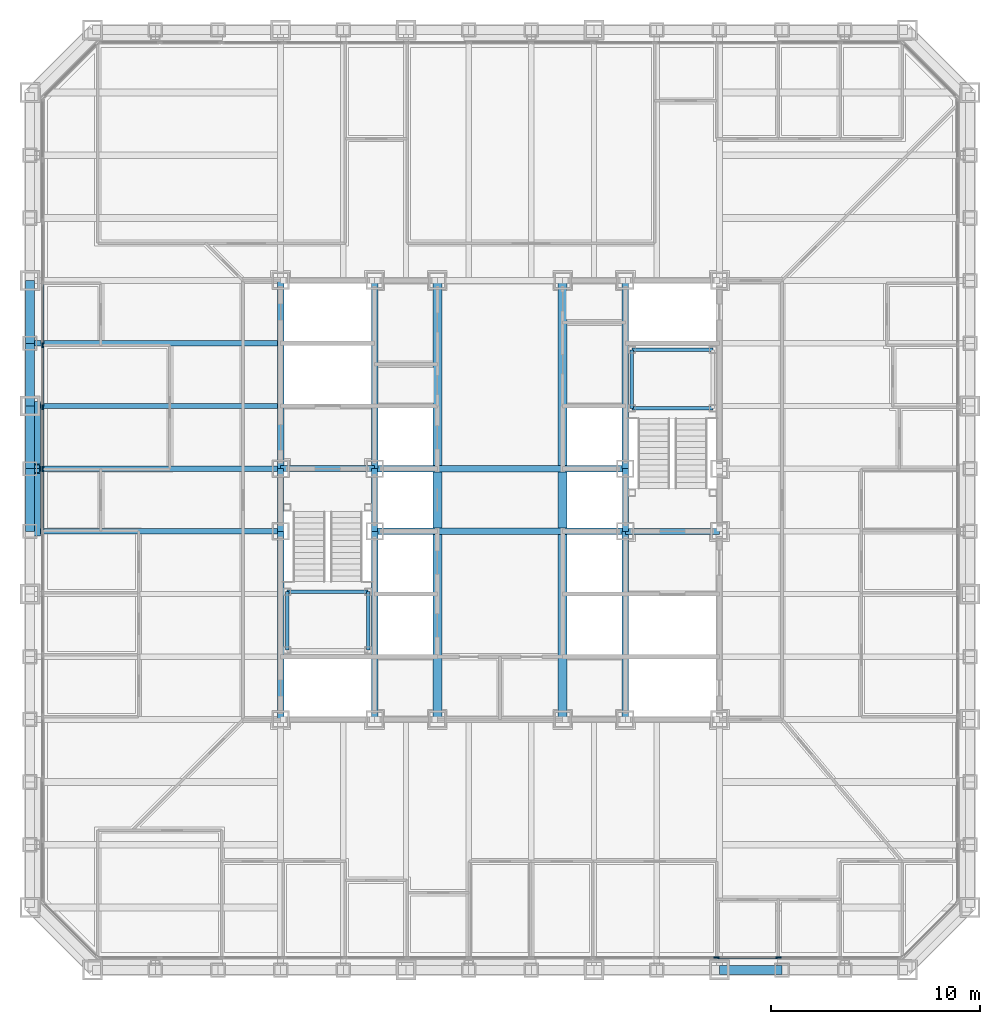
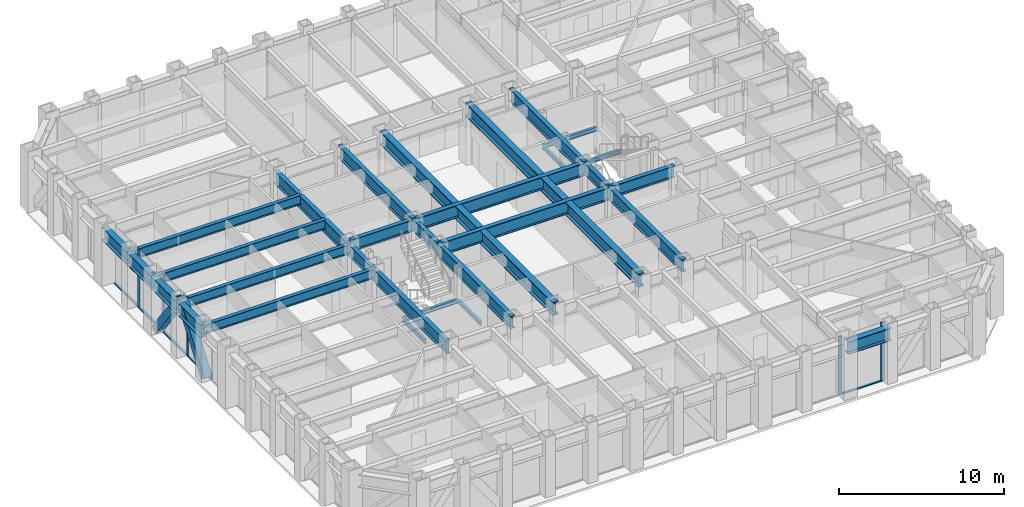
# One storey, part 3 of 16: 34 beams, 12 members, 2 elements without a shape of their own.
"""IFC4 building model written with IfcOpenShell, lengths in metres."""

import ifcopenshell
import ifcopenshell.guid

model = None  # the IFC model being written
_history = None  # IfcOwnerHistory: only IFC2X3 demands one
_inside = {}  # id of a spatial element -> (the spatial element, [elements in it])
_under = {}  # id of a project, library or spatial element -> (it, [spatial elements below it])
_declared = {}  # id of a project -> (the project, [libraries it declares])
_typed = {}  # id of a type object -> (the type object, [elements of that type])
_made_of = {}  # id of a material, layer set ... -> (it, [elements and type objects made of it])


def new_model(schema):
    """Start an empty IFC model of exactly this schema.

    Asked for "IFC4X3", IfcOpenShell would pick the latest addendum, in which some entities
    have other attributes; the version numbers below select the first issue.
    IFC2X3 requires an IfcOwnerHistory on every rooted entity: one is made here for all.
    """
    global model, _history
    if schema == "IFC4X3":
        model = ifcopenshell.file(schema_version=(4, 3, 0, 0))
    else:
        model = ifcopenshell.file(schema=schema)
    _inside.clear()
    _under.clear()
    _declared.clear()
    _typed.clear()
    _made_of.clear()
    _history = None
    if model.schema == "IFC2X3":
        org = make("IfcOrganization", Name="unknown")
        user = make(
            "IfcPersonAndOrganization",
            ThePerson=make("IfcPerson", FamilyName="unknown"),
            TheOrganization=org,
        )
        app = make(
            "IfcApplication",
            ApplicationDeveloper=org,
            Version="unknown",
            ApplicationFullName="unknown",
            ApplicationIdentifier="unknown",
        )
        _history = make(
            "IfcOwnerHistory",
            OwningUser=user,
            OwningApplication=app,
            ChangeAction="ADDED",
            CreationDate=0,
        )
    return model


def make(cls, **values):
    """One entity of the class cls with the attributes given. An attribute that is None is left unset."""
    return model.create_entity(
        cls, **{name: value for name, value in values.items() if value is not None}
    )


def rooted(cls, **values):
    """An entity with a GlobalId (a new one), such as an element, a storey or a relation."""
    return make(cls, GlobalId=ifcopenshell.guid.new(), OwnerHistory=_history, **values)


def si_unit(unit_type, name, prefix=None):
    """IfcSIUnit, for example si_unit("LENGTHUNIT", "METRE", prefix="MILLI")."""
    return make("IfcSIUnit", UnitType=unit_type, Prefix=prefix, Name=name)


def assignment(units):
    """IfcUnitAssignment: the units of a project."""
    return None if units is None else make("IfcUnitAssignment", Units=units)


def point(xyz):
    """IfcCartesianPoint."""
    return None if xyz is None else make("IfcCartesianPoint", Coordinates=xyz)


def direction(xyz):
    """IfcDirection."""
    return None if xyz is None else make("IfcDirection", DirectionRatios=xyz)


def frame(location, z_axis=None, x_axis=None):
    """IfcAxis2Placement3D, a coordinate frame: its origin and axes. An axis left out is left unset."""
    return make(
        "IfcAxis2Placement3D",
        Location=point(location),
        Axis=direction(z_axis),
        RefDirection=direction(x_axis),
    )


def frame_2d(location, x_axis=None):
    """IfcAxis2Placement2D, a coordinate frame in the plane: its origin and x axis."""
    return make(
        "IfcAxis2Placement2D", Location=point(location), RefDirection=direction(x_axis)
    )


def origin():
    """The frame at (0, 0, 0) with its axes left unset."""
    return frame((0.0, 0.0, 0.0))


def origin_2d():
    """The frame at (0, 0) in the plane with its x axis left unset."""
    return frame_2d((0.0, 0.0))


def place(relative_to, where):
    """IfcLocalPlacement: puts the frame where relative to a parent placement (None: the world)."""
    return make(
        "IfcLocalPlacement", PlacementRelTo=relative_to, RelativePlacement=where
    )


def context(
    kind, dimensions, precision=None, world=None, true_north=None, identifier=None
):
    """IfcGeometricRepresentationContext, for example the 3D "Model" context."""
    return make(
        "IfcGeometricRepresentationContext",
        ContextIdentifier=identifier,
        ContextType=kind,
        CoordinateSpaceDimension=dimensions,
        Precision=precision,
        WorldCoordinateSystem=world,
        TrueNorth=true_north,
    )


def subcontext(parent, identifier, kind, view, scale=None):
    """IfcGeometricRepresentationSubContext, for example "Body" below "Model"."""
    return make(
        "IfcGeometricRepresentationSubContext",
        ContextIdentifier=identifier,
        ContextType=kind,
        ParentContext=parent,
        TargetScale=scale,
        TargetView=view,
    )


def project(units=None, contexts=None):
    """IfcProject with its units and contexts."""
    return rooted(
        "IfcProject",
        Name="project",
        RepresentationContexts=contexts,
        UnitsInContext=assignment(units),
    )


def spatial(cls, under=None, at=None, **own):
    """A site, building, storey or space (cls), placed at a placement, below another one or the project."""
    s = rooted(cls, ObjectPlacement=at, **own)
    if under is not None:
        _under.setdefault(under.id(), (under, []))[1].append(s)
    return s


def profile(cls, at=None, kind="AREA", **sizes):
    """A parametric profile (cls). Its sizes go by their IFC names, for example OverallWidth=200.0."""
    return make(cls, ProfileType=kind, Position=at, **sizes)


def rectangle(**sizes):
    """IfcRectangleProfileDef."""
    return profile("IfcRectangleProfileDef", **sizes)


def hollow_rectangle(**sizes):
    """IfcRectangleHollowProfileDef."""
    return profile("IfcRectangleHollowProfileDef", **sizes)


def i_section(**sizes):
    """IfcIShapeProfileDef."""
    return profile("IfcIShapeProfileDef", **sizes)


def extrude(swept, where, along, depth):
    """IfcExtrudedAreaSolid: the profile swept, set in the frame where, extruded along a direction by depth."""
    return make(
        "IfcExtrudedAreaSolid",
        SweptArea=swept,
        Position=where,
        ExtrudedDirection=direction(along),
        Depth=depth,
    )


def shape(context_of_items, identifier, shape_type, items):
    """IfcShapeRepresentation: the items that make up one representation, for example the "Body"."""
    return make(
        "IfcShapeRepresentation",
        ContextOfItems=context_of_items,
        RepresentationIdentifier=identifier,
        RepresentationType=shape_type,
        Items=items,
    )


def material(Name=None, Category=None):
    """IfcMaterial."""
    return make("IfcMaterial", Name=Name, Category=Category)


def layer(
    of_material, thickness, ventilated=None, Name=None, Category=None, Priority=None
):
    """IfcMaterialLayer: one layer of a wall or slab, of a material (None: an air gap)."""
    return make(
        "IfcMaterialLayer",
        Material=of_material,
        LayerThickness=thickness,
        IsVentilated=ventilated,
        Name=Name,
        Category=Category,
        Priority=Priority,
    )


def layer_set(layers, Name=None):
    """IfcMaterialLayerSet."""
    return make("IfcMaterialLayerSet", MaterialLayers=layers, LayerSetName=Name)


def material_profile(
    of_material, cross_section, Name=None, Category=None, Priority=None
):
    """IfcMaterialProfile: a cross section and its material."""
    return make(
        "IfcMaterialProfile",
        Name=Name,
        Material=of_material,
        Profile=cross_section,
        Priority=Priority,
        Category=Category,
    )


def profile_set(profiles, Name=None, composite=None):
    """IfcMaterialProfileSet."""
    return make(
        "IfcMaterialProfileSet",
        Name=Name,
        MaterialProfiles=profiles,
        CompositeProfile=composite,
    )


def made_of(thing, what):
    """Note that an element or type object is made of a material, layer set ...; save() writes the relation."""
    if what is not None:
        _made_of.setdefault(what.id(), (what, []))[1].append(thing)
    return thing


def type_object(cls, material=None, **own):
    """A type object (cls), such as IfcWallType, which elements share."""
    return made_of(rooted(cls, **own), material)


def element(
    cls,
    number,
    at=None,
    inside=None,
    cuts=None,
    type_object=None,
    material=None,
    context=None,
    identifier="Body",
    shape_type=None,
    held_by="IfcProductDefinitionShape",
    body=None,
    shapes=None,
    **own,
):
    """One element of the class cls, such as IfcWall. Its Tag is "e" and its number.

    at: its placement. inside: the storey or other place that contains it. cuts: it is an
    opening in that element (IfcRelVoidsElement). A single representation is given by context,
    identifier, shape_type and body (its items); several are given by shapes. held_by: the class
    of the entity that holds the representations. save() writes the other relations.
    """
    e = rooted(cls, Tag="e%d" % number, ObjectPlacement=at, **own)
    if body is not None:
        shapes = [shape(context, identifier, shape_type, body)]
    if shapes is not None:
        e.Representation = make(held_by, Representations=shapes)
    if inside is not None:
        _inside.setdefault(inside.id(), (inside, []))[1].append(e)
    if cuts is not None:
        rooted(
            "IfcRelVoidsElement", RelatingBuildingElement=cuts, RelatedOpeningElement=e
        )
    if type_object is not None:
        _typed.setdefault(type_object.id(), (type_object, []))[1].append(e)
    return made_of(e, material)


def aggregate(whole, parts):
    """IfcRelAggregates: a whole, such as a stair, and the parts it consists of."""
    return rooted("IfcRelAggregates", RelatingObject=whole, RelatedObjects=parts)


def save(model, path):
    """Write the relations noted so far, then the file.

    IfcRelAggregates (storeys below a building ...), IfcRelContainedInSpatialStructure (elements
    in a storey), IfcRelDefinesByType, IfcRelAssociatesMaterial and IfcRelDeclares: one each for
    every whole, place, type object, material and project.
    """
    for whole, parts in _under.values():
        aggregate(whole, parts)
    for where, things in _inside.values():
        rooted(
            "IfcRelContainedInSpatialStructure",
            RelatedElements=things,
            RelatingStructure=where,
        )
    for kind, things in _typed.values():
        rooted("IfcRelDefinesByType", RelatedObjects=things, RelatingType=kind)
    for what, things in _made_of.values():
        rooted("IfcRelAssociatesMaterial", RelatedObjects=things, RelatingMaterial=what)
    for by, libraries in _declared.values():
        rooted("IfcRelDeclares", RelatingContext=by, RelatedDefinitions=libraries)
    model.write(path)


model = new_model("IFC4")

# Units and contexts
model_context = context("Model", 3, precision=1e-05, world=origin(), true_north=direction((0.0, 1.0)))
body_context = subcontext(model_context, "Body", "Model", "MODEL_VIEW")
ifc_project = project(units=[si_unit("LENGTHUNIT", "METRE"), si_unit("AREAUNIT", "SQUARE_METRE"), si_unit("VOLUMEUNIT", "CUBIC_METRE"), si_unit("PLANEANGLEUNIT", "RADIAN"), si_unit("MASSUNIT", "GRAM", prefix="KILO")], contexts=[model_context])

# Site, building, storey
site_placement = place(None, origin())
site = spatial("IfcSite", under=ifc_project, at=site_placement, CompositionType="ELEMENT")
building_placement = place(site_placement, origin())
building = spatial("IfcBuilding", under=site, at=building_placement, Name="Chuquiago Exchange Tower", CompositionType="ELEMENT")
storey_placement = place(building_placement, frame((0.0, 0.0, 28.800048828125)))
storey = spatial("IfcBuildingStorey", under=building, at=storey_placement, Name="L05", CompositionType="ELEMENT", Elevation=28.800048828125)

# Beams
ifc_material_1 = material(Name="Steel ASTM A992", Category="steel")
ifc_material_profile_1 = material_profile(ifc_material_1, i_section(OverallWidth=0.307373046875, OverallDepth=0.927001953125, WebThickness=0.01953125, FlangeThickness=0.031982421875, at=origin_2d()), Name="W36X194")
ifc_profile_set_1 = profile_set([ifc_material_profile_1], Name="Steel ASTM A992")
beam_type_1 = type_object("IfcBeamType", Name="B10 W36X194", PredefinedType="BEAM", material=ifc_profile_set_1)
for number, where, z_axis, x_axis, name in (
    (1, (12.0, 12.0, 3.576416015625), (0.0, 1.0, 0.0), (-1.0, 0.0, 0.0), "CB-L06-12_12-12_21"),
    (2, (12.0, 24.0, 3.576416015625), (0.0, 1.0, 0.0), (-1.0, 0.0, 0.0), "CB-L06-12_24-12_33"),
    (3, (16.5, 12.0, 3.87646484375), (0.0, 1.0, 0.0), (-1.0, 0.0, 0.0), "CB-L06-16.5_12-16.5_21"),
    (4, (16.5, 24.0, 3.87646484375), (0.0, 1.0, 0.0), (-1.0, 0.0, 0.0), "CB-L06-16.5_24-16.5_33"),
    (5, (28.5, 12.0, 3.87646484375), (0.0, 1.0, 0.0), (-1.0, 0.0, 0.0), "CB-L06-28.5_12-28.5_21"),
    (6, (28.5, 24.0, 3.87646484375), (0.0, 1.0, 0.0), (-1.0, 0.0, 0.0), "CB-L06-28.5_24-28.5_33"),
):
    element("IfcBeam", number, at=place(storey_placement, frame(where, z_axis=z_axis, x_axis=x_axis)), inside=storey, type_object=beam_type_1, Name=name, PredefinedType="BEAM", context=body_context, shape_type="SweptSolid", body=[
        extrude(i_section(OverallWidth=0.307373046875, OverallDepth=0.927001953125, WebThickness=0.01953125, FlangeThickness=0.031982421875, at=origin_2d()), origin(), (0.0, 0.0, 1.0), 9.0),
    ])
ifc_material_2 = material(Name="Steel ASTM A992", Category="steel")
ifc_material_profile_2 = material_profile(ifc_material_2, i_section(OverallWidth=0.309814453125, OverallDepth=0.949951171875, WebThickness=0.0244140625, FlangeThickness=0.0439453125, at=origin_2d()), Name="W36X256")
ifc_profile_set_2 = profile_set([ifc_material_profile_2], Name="Steel ASTM A992")
beam_type_2 = type_object("IfcBeamType", Name="B11 W36X256", PredefinedType="BEAM", material=ifc_profile_set_2)
for number, where, z_axis, x_axis, name in (
    (7, (16.5, 21.0, 3.864990234375), (1.0, 0.0, 0.0), (0.0, 1.0, 0.0), "CB-L06-16.5_21-28.5_21"),
    (8, (16.5, 24.0, 3.864990234375), (1.0, 0.0, 0.0), (0.0, 1.0, 0.0), "CB-L06-16.5_24-28.5_24"),
):
    element("IfcBeam", number, at=place(storey_placement, frame(where, z_axis=z_axis, x_axis=x_axis)), inside=storey, type_object=beam_type_2, Name=name, PredefinedType="BEAM", context=body_context, shape_type="SweptSolid", body=[
        extrude(i_section(OverallWidth=0.309814453125, OverallDepth=0.949951171875, WebThickness=0.0244140625, FlangeThickness=0.0439453125, at=origin_2d()), origin(), (0.0, 0.0, 1.0), 12.0),
    ])
ifc_material_3 = material(Name="Steel ASTM A992", Category="steel")
ifc_material_profile_3 = material_profile(ifc_material_3, i_section(OverallWidth=0.4267578125, OverallDepth=0.975341796875, WebThickness=0.031005859375, FlangeThickness=0.055908203125, at=origin_2d()), Name="W36X395")
ifc_profile_set_3 = profile_set([ifc_material_profile_3], Name="Steel ASTM A992")
beam_type_3 = type_object("IfcBeamType", Name="B12 W36X395", PredefinedType="BEAM", material=ifc_profile_set_3)
beam_1_placement = place(storey_placement, frame((19.5, 12.0, 3.852294921875), z_axis=(0.0, 1.0, 0.0), x_axis=(-1.0, 0.0, 0.0)))
element("IfcBeam", 9, at=beam_1_placement, inside=storey, type_object=beam_type_3, Name="CB-L06-19.5_12-19.5_20.8451", PredefinedType="BEAM", context=body_context, shape_type="SweptSolid", body=[
    extrude(i_section(OverallWidth=0.4267578125, OverallDepth=0.975341796875, WebThickness=0.031005859375, FlangeThickness=0.055908203125, at=origin_2d()), origin(), (0.0, 0.0, 1.0), 8.84521484375),
])
beam_2_placement = place(storey_placement, frame((19.5, 21.15478515625, 3.852294921875), z_axis=(0.0, 1.0, 0.0), x_axis=(-1.0, 0.0, 0.0)))
element("IfcBeam", 10, at=beam_2_placement, inside=storey, type_object=beam_type_3, Name="CB-L06-19.5_21.1549-19.5_23.8451", PredefinedType="BEAM", context=body_context, shape_type="SweptSolid", body=[
    extrude(i_section(OverallWidth=0.4267578125, OverallDepth=0.975341796875, WebThickness=0.031005859375, FlangeThickness=0.055908203125, at=origin_2d()), origin(), (0.0, 0.0, 1.0), 2.6904296875),
])
for number, where, z_axis, x_axis, name in (
    (11, (19.5, 24.15478515625, 3.852294921875), (0.0, 1.0, 0.0), (-1.0, 0.0, 0.0), "CB-L06-19.5_24.1549-19.5_33"),
    (12, (25.5, 12.0, 3.852294921875), (0.0, 1.0, 0.0), (-1.0, 0.0, 0.0), "CB-L06-25.5_12-25.5_20.8451"),
):
    element("IfcBeam", number, at=place(storey_placement, frame(where, z_axis=z_axis, x_axis=x_axis)), inside=storey, type_object=beam_type_3, Name=name, PredefinedType="BEAM", context=body_context, shape_type="SweptSolid", body=[
        extrude(i_section(OverallWidth=0.4267578125, OverallDepth=0.975341796875, WebThickness=0.031005859375, FlangeThickness=0.055908203125, at=origin_2d()), origin(), (0.0, 0.0, 1.0), 8.84521484375),
    ])
beam_3_placement = place(storey_placement, frame((25.5, 21.15478515625, 3.852294921875), z_axis=(0.0, 1.0, 0.0), x_axis=(-1.0, 0.0, 0.0)))
element("IfcBeam", 13, at=beam_3_placement, inside=storey, type_object=beam_type_3, Name="CB-L06-25.5_21.1549-25.5_23.8451", PredefinedType="BEAM", context=body_context, shape_type="SweptSolid", body=[
    extrude(i_section(OverallWidth=0.4267578125, OverallDepth=0.975341796875, WebThickness=0.031005859375, FlangeThickness=0.055908203125, at=origin_2d()), origin(), (0.0, 0.0, 1.0), 2.6904296875),
])
beam_4_placement = place(storey_placement, frame((25.5, 24.15478515625, 3.852294921875), z_axis=(0.0, 1.0, 0.0), x_axis=(-1.0, 0.0, 0.0)))
element("IfcBeam", 14, at=beam_4_placement, inside=storey, type_object=beam_type_3, Name="CB-L06-25.5_24.1549-25.5_33", PredefinedType="BEAM", context=body_context, shape_type="SweptSolid", body=[
    extrude(i_section(OverallWidth=0.4267578125, OverallDepth=0.975341796875, WebThickness=0.031005859375, FlangeThickness=0.055908203125, at=origin_2d()), origin(), (0.0, 0.0, 1.0), 8.84521484375),
])
ifc_material_4 = material(Name="Steel ASTM A992", Category="steel")
ifc_material_profile_4 = material_profile(ifc_material_4, i_section(OverallWidth=0.2919921875, OverallDepth=0.8583984375, WebThickness=0.01708984375, FlangeThickness=0.031005859375, at=origin_2d()), Name="W33X169")
ifc_profile_set_4 = profile_set([ifc_material_profile_4], Name="Steel ASTM A992")
beam_type_4 = type_object("IfcBeamType", Name="B3 W33X169", PredefinedType="BEAM", material=ifc_profile_set_4)
for number, where, z_axis, x_axis, name in (
    (15, (12.0, 21.0, 3.610595703125), (0.0, 1.0, 0.0), (-1.0, 0.0, 0.0), "CB-L06-12_21-12_24"),
    (16, (16.5, 21.0, 3.91064453125), (0.0, 1.0, 0.0), (-1.0, 0.0, 0.0), "CB-L06-16.5_21-16.5_24"),
    (17, (28.5, 21.0, 3.91064453125), (0.0, 1.0, 0.0), (-1.0, 0.0, 0.0), "CB-L06-28.5_21-28.5_24"),
):
    element("IfcBeam", number, at=place(storey_placement, frame(where, z_axis=z_axis, x_axis=x_axis)), inside=storey, type_object=beam_type_4, Name=name, PredefinedType="BEAM", context=body_context, shape_type="SweptSolid", body=[
        extrude(i_section(OverallWidth=0.2919921875, OverallDepth=0.8583984375, WebThickness=0.01708984375, FlangeThickness=0.031005859375, at=origin_2d()), origin(), (0.0, 0.0, 1.0), 3.0),
    ])
for number, where, z_axis, x_axis, name in (
    (18, (28.5, 21.0, 3.91064453125), (1.0, 0.0, 0.0), (0.0, 1.0, 0.0), "CB-L06-28.5_21-33_21"),
    (19, (12.0, 24.0, 3.91064453125), (1.0, 0.0, 0.0), (0.0, 1.0, 0.0), "CB-L06-12_24-16.5_24"),
):
    element("IfcBeam", number, at=place(storey_placement, frame(where, z_axis=z_axis, x_axis=x_axis)), inside=storey, type_object=beam_type_4, Name=name, PredefinedType="BEAM", context=body_context, shape_type="SweptSolid", body=[
        extrude(i_section(OverallWidth=0.2919921875, OverallDepth=0.8583984375, WebThickness=0.01708984375, FlangeThickness=0.031005859375, at=origin_2d()), origin(), (0.0, 0.0, 1.0), 4.5),
    ])
ifc_material_5 = material(Name="Steel ASTM A992", Category="steel")
ifc_material_profile_5 = material_profile(ifc_material_5, i_section(OverallWidth=0.256591796875, OverallDepth=0.693359375, WebThickness=0.014404296875, FlangeThickness=0.023681640625, at=origin_2d()), Name="W27X114")
ifc_profile_set_5 = profile_set([ifc_material_profile_5], Name="Steel ASTM A992")
beam_type_5 = type_object("IfcBeamType", Name="B4 W27X114", PredefinedType="BEAM", material=ifc_profile_set_5)
for number, where, z_axis, x_axis, name in (
    (20, (12.0, 21.0, 3.693359375), (-1.0, 0.0, 0.0), (0.0, -1.0, 0.0), "FB-L06-infill-12_21--0_21-0"),
    (21, (12.0, 24.0, 3.693359375), (-1.0, 0.0, 0.0), (0.0, -1.0, 0.0), "FB-L06-infill-12_24--0_24-0"),
    (22, (12.0, 27.0, 3.693359375), (-1.0, 0.0, 0.0), (0.0, -1.0, 0.0), "FB-L06-infill-12_27--0_27-0"),
    (23, (12.0, 30.0, 3.693359375), (-1.0, 0.0, 0.0), (0.0, -1.0, 0.0), "FB-L06-infill-12_30--0_30-0"),
):
    element("IfcBeam", number, at=place(storey_placement, frame(where, z_axis=z_axis, x_axis=x_axis)), inside=storey, type_object=beam_type_5, Name=name, PredefinedType="BEAM", context=body_context, shape_type="SweptSolid", body=[
        extrude(i_section(OverallWidth=0.256591796875, OverallDepth=0.693359375, WebThickness=0.014404296875, FlangeThickness=0.023681640625, at=origin_2d()), origin(), (0.0, 0.0, 1.0), 12.0),
    ])

# Curtain wall, members
ifc_material_6 = material(Name="Aluminium curtain wall system", Category="aluminium")
ifc_layer = layer(ifc_material_6, 0.25)
ifc_layer_set = layer_set([ifc_layer], Name="CW1 trading floor curtain wall")
curtain_wall_type = type_object("IfcCurtainWallType", Name="CW1 trading floor curtain wall", PredefinedType="NOTDEFINED", material=ifc_layer_set)
curtain_wall_1_placement = place(storey_placement, origin())
curtain_wall_1 = element("IfcCurtainWall", 24, at=curtain_wall_1_placement, inside=storey, type_object=curtain_wall_type, Name="CW1 curtain wall L05", PredefinedType="NOTDEFINED")
ifc_material_7 = material(Name="Aluminium mullion, pale anodised", Category="aluminium")
ifc_material_profile_6 = material_profile(ifc_material_7, rectangle(XDim=0.074951171875, YDim=0.25, at=origin_2d()), Name="AL 75x250")
ifc_profile_set_6 = profile_set([ifc_material_profile_6], Name="Aluminium mullion, pale anodised")
member_type_1 = type_object("IfcMemberType", Name="CW1-M mullion 75x250", PredefinedType="MULLION", material=ifc_profile_set_6)
member_1_placement = place(storey_placement, frame((32.8662109375, 0.60009765625, -0.300048828125), z_axis=(0.0, 0.0, 1.0), x_axis=(0.0, 1.0, 0.0)))
member_1 = element("IfcMember", 25, at=member_1_placement, type_object=member_type_1, Name="CW1 mullion 11", PredefinedType="MULLION", context=body_context, shape_type="SweptSolid", body=[
    extrude(rectangle(XDim=0.074951171875, YDim=0.25, at=origin_2d()), origin(), (0.0, 0.0, 1.0), 4.340087890625),
])
member_2_placement = place(storey_placement, frame((35.827880859375, 0.60009765625, -0.300048828125), z_axis=(0.0, 0.0, 1.0), x_axis=(0.0, 1.0, 0.0)))
member_2 = element("IfcMember", 26, at=member_2_placement, type_object=member_type_1, Name="CW1 mullion 12", PredefinedType="MULLION", context=body_context, shape_type="SweptSolid", body=[
    extrude(rectangle(XDim=0.074951171875, YDim=0.25, at=origin_2d()), origin(), (0.0, 0.0, 1.0), 4.340087890625),
])

curtain_wall_2_placement = place(storey_placement, origin())
curtain_wall_2 = element("IfcCurtainWall", 27, at=curtain_wall_2_placement, inside=storey, type_object=curtain_wall_type, Name="CW1 curtain wall L05", PredefinedType="NOTDEFINED")
member_3_placement = place(storey_placement, frame((0.60009765625, 29.904541015625, -0.300048828125), z_axis=(0.0, 0.0, 1.0), x_axis=(1.0, 0.0, 0.0)))
member_3 = element("IfcMember", 28, at=member_3_placement, type_object=member_type_1, Name="CW1 mullion 5", PredefinedType="MULLION", context=body_context, shape_type="SweptSolid", body=[
    extrude(rectangle(XDim=0.074951171875, YDim=0.25, at=origin_2d()), origin(), (0.0, 0.0, 1.0), 4.340087890625),
])
member_4_placement = place(storey_placement, frame((0.60009765625, 26.942626953125, -0.300048828125), z_axis=(0.0, 0.0, 1.0), x_axis=(1.0, 0.0, 0.0)))
member_4 = element("IfcMember", 29, at=member_4_placement, type_object=member_type_1, Name="CW1 mullion 6", PredefinedType="MULLION", context=body_context, shape_type="SweptSolid", body=[
    extrude(rectangle(XDim=0.074951171875, YDim=0.25, at=origin_2d()), origin(), (0.0, 0.0, 1.0), 4.340087890625),
])
member_5_placement = place(storey_placement, frame((0.60009765625, 23.98095703125, -0.300048828125), z_axis=(0.0, 0.0, 1.0), x_axis=(1.0, 0.0, 0.0)))
member_5 = element("IfcMember", 30, at=member_5_placement, type_object=member_type_1, Name="CW1 mullion 7", PredefinedType="MULLION", context=body_context, shape_type="SweptSolid", body=[
    extrude(rectangle(XDim=0.074951171875, YDim=0.25, at=origin_2d()), origin(), (0.0, 0.0, 1.0), 4.340087890625),
])

# Member
ifc_material_8 = material(Name="Aluminium transom, pale anodised", Category="aluminium")
ifc_material_profile_7 = material_profile(ifc_material_8, rectangle(XDim=0.14990234375, YDim=0.074951171875, at=origin_2d()), Name="AL 150x75")
ifc_profile_set_7 = profile_set([ifc_material_profile_7], Name="Aluminium transom, pale anodised")
member_type_2 = type_object("IfcMemberType", Name="CW1-T transom 75x150", PredefinedType="MULLION", material=ifc_profile_set_7)
member_6_placement = place(storey_placement, frame((32.90380859375, 0.60009765625, -0.262451171875), z_axis=(1.0, 0.0, 0.0), x_axis=(0.0, 1.0, 0.0)))
member_6 = element("IfcMember", 31, at=member_6_placement, type_object=member_type_2, Name="CW1 transom 11.1", PredefinedType="MULLION", context=body_context, shape_type="SweptSolid", body=[
    extrude(rectangle(XDim=0.14990234375, YDim=0.074951171875, at=origin_2d()), origin(), (0.0, 0.0, 1.0), 2.88671875),
])

aggregate(curtain_wall_1, [member_1, member_2, member_6])

member_7_placement = place(storey_placement, frame((0.60009765625, 32.82861328125, -0.262451171875), z_axis=(0.0, -1.0, 0.0), x_axis=(1.0, 0.0, 0.0)))
member_7 = element("IfcMember", 32, at=member_7_placement, type_object=member_type_2, Name="CW1 transom 4.1", PredefinedType="MULLION", context=body_context, shape_type="SweptSolid", body=[
    extrude(rectangle(XDim=0.14990234375, YDim=0.074951171875, at=origin_2d()), origin(), (0.0, 0.0, 1.0), 2.88671875),
])

member_8_placement = place(storey_placement, frame((0.60009765625, 29.866943359375, -0.262451171875), z_axis=(0.0, -1.0, 0.0), x_axis=(1.0, 0.0, 0.0)))
member_8 = element("IfcMember", 33, at=member_8_placement, type_object=member_type_2, Name="CW1 transom 5.1", PredefinedType="MULLION", context=body_context, shape_type="SweptSolid", body=[
    extrude(rectangle(XDim=0.14990234375, YDim=0.074951171875, at=origin_2d()), origin(), (0.0, 0.0, 1.0), 2.88671875),
])

member_9_placement = place(storey_placement, frame((0.60009765625, 26.9052734375, -0.262451171875), z_axis=(0.0, -1.0, 0.0), x_axis=(1.0, 0.0, 0.0)))
member_9 = element("IfcMember", 34, at=member_9_placement, type_object=member_type_2, Name="CW1 transom 6.1", PredefinedType="MULLION", context=body_context, shape_type="SweptSolid", body=[
    extrude(rectangle(XDim=0.14990234375, YDim=0.074951171875, at=origin_2d()), origin(), (0.0, 0.0, 1.0), 2.886962890625),
])

member_10_placement = place(storey_placement, frame((0.60009765625, 23.943359375, -0.262451171875), z_axis=(0.0, -1.0, 0.0), x_axis=(1.0, 0.0, 0.0)))
member_10 = element("IfcMember", 35, at=member_10_placement, type_object=member_type_2, Name="CW1 transom 7.1", PredefinedType="MULLION", context=body_context, shape_type="SweptSolid", body=[
    extrude(rectangle(XDim=0.14990234375, YDim=0.074951171875, at=origin_2d()), origin(), (0.0, 0.0, 1.0), 2.88671875),
])

aggregate(curtain_wall_2, [member_3, member_4, member_5, member_7, member_8, member_9, member_10])

# Beams
ifc_material_9 = material(Name="Steel ASTM A992", Category="steel")
ifc_material_profile_8 = material_profile(ifc_material_9, i_section(OverallWidth=0.164794921875, OverallDepth=0.309814453125, WebThickness=0.005859375, FlangeThickness=0.009765625, at=origin_2d()), Name="W12X26")
ifc_profile_set_8 = profile_set([ifc_material_profile_8], Name="Steel ASTM A992")
beam_type_6 = type_object("IfcBeamType", Name="LS1 W12X26", PredefinedType="BEAM", material=ifc_profile_set_8)
for number, where, z_axis, x_axis, name in (
    (36, (12.31005859375, 15.31005859375, 1.89501953125), (0.0, 1.0, 0.0), (-1.0, 0.0, 0.0), "Stair ST1 L05 landing 1 stringer"),
    (37, (16.18994140625, 15.31005859375, 1.89501953125), (0.0, 1.0, 0.0), (-1.0, 0.0, 0.0), "Stair ST1 L05 landing 1 stringer"),
    (38, (28.81005859375, 26.889892578125, 1.89501953125), (0.0, 1.0, 0.0), (-1.0, 0.0, 0.0), "Stair ST2 L05 landing 1 stringer"),
):
    element("IfcBeam", number, at=place(storey_placement, frame(where, z_axis=z_axis, x_axis=x_axis)), inside=storey, type_object=beam_type_6, Name=name, PredefinedType="BEAM", context=body_context, shape_type="SweptSolid", body=[
        extrude(i_section(OverallWidth=0.164794921875, OverallDepth=0.309814453125, WebThickness=0.005859375, FlangeThickness=0.009765625, at=origin_2d()), origin(), (0.0, 0.0, 1.0), 2.800048828125),
    ])
ifc_material_10 = material(Name="Steel ASTM A992", Category="steel")
ifc_material_profile_9 = material_profile(ifc_material_10, i_section(OverallWidth=0.164794921875, OverallDepth=0.309814453125, WebThickness=0.005859375, FlangeThickness=0.009765625, at=origin_2d()), Name="W12X26")
ifc_profile_set_9 = profile_set([ifc_material_profile_9], Name="Steel ASTM A992")
beam_type_7 = type_object("IfcBeamType", Name="LT1 W12X26", PredefinedType="BEAM", material=ifc_profile_set_9)
for number, where, z_axis, x_axis, name in (
    (39, (12.31005859375, 18.110107421875, 1.89501953125), (1.0, 0.0, 0.0), (0.0, 1.0, 0.0), "Stair ST1 L05 landing 1 trimmer"),
    (40, (28.81005859375, 29.68994140625, 1.89501953125), (1.0, 0.0, 0.0), (0.0, 1.0, 0.0), "Stair ST2 L05 landing 1 trimmer"),
    (41, (28.81005859375, 26.889892578125, 1.89501953125), (1.0, 0.0, 0.0), (0.0, 1.0, 0.0), "Stair ST2 L05 landing 1 trimmer"),
):
    element("IfcBeam", number, at=place(storey_placement, frame(where, z_axis=z_axis, x_axis=x_axis)), inside=storey, type_object=beam_type_7, Name=name, PredefinedType="BEAM", context=body_context, shape_type="SweptSolid", body=[
        extrude(i_section(OverallWidth=0.164794921875, OverallDepth=0.309814453125, WebThickness=0.005859375, FlangeThickness=0.009765625, at=origin_2d()), origin(), (0.0, 0.0, 1.0), 3.8798828125),
    ])

# Members
ifc_material_11 = material(Name="Steel ASTM A572 Grade 50", Category="steel")
ifc_material_profile_10 = material_profile(ifc_material_11, hollow_rectangle(XDim=0.550048828125, YDim=0.550048828125, WallThickness=0.044921875, at=origin_2d()), Name="BOX550X550X45")
ifc_profile_set_10 = profile_set([ifc_material_profile_10], Name="Steel ASTM A572 Grade 50")
member_type_3 = type_object("IfcMemberType", Name="MB1 BOX550X550X45", PredefinedType="BRACE", material=ifc_profile_set_10)
for number, where, z_axis, x_axis, name in (
    (42, (0.22998046875, 27.0, 0.0), (0.0, -0.596173923302, 0.802855312728), (1.0, 0.0, 0.0), "Mega diagonal L05 W face"),
    (43, (0.22998046875, 21.0, 0.0), (0.0, 0.596173923302, 0.802855312728), (-1.0, 0.0, 0.0), "Mega diagonal L05 W face"),
):
    element("IfcMember", number, at=place(storey_placement, frame(where, z_axis=z_axis, x_axis=x_axis)), inside=storey, type_object=member_type_3, Name=name, PredefinedType="BRACE", context=body_context, shape_type="SweptSolid", body=[
        extrude(hollow_rectangle(XDim=0.550048828125, YDim=0.550048828125, WallThickness=0.044921875, at=origin_2d()), origin(), (0.0, 0.0, 1.0), 5.031982421875),
    ])

# Beams
ifc_material_12 = material(Name="Steel ASTM A992", Category="steel")
ifc_material_profile_11 = material_profile(ifc_material_12, i_section(OverallWidth=0.424072265625, OverallDepth=0.947509765625, WebThickness=0.02392578125, FlangeThickness=0.042724609375, at=origin_2d()), Name="W36X302")
ifc_profile_set_11 = profile_set([ifc_material_profile_11], Name="Steel ASTM A992")
beam_type_8 = type_object("IfcBeamType", Name="SP1 W36X302", PredefinedType="SPANDREL", material=ifc_profile_set_11)
for number, where, z_axis, x_axis, name in (
    (44, (33.0, 0.0, 3.566162109375), (1.0, 0.0, 0.0), (0.0, 1.0, 0.0), "SPB-L06-33_0-36_0"),
    (45, (0.0, 33.0, 3.566162109375), (0.0, -1.0, 0.0), (1.0, 0.0, 0.0), "SPB-L06-0_33-0_30"),
    (46, (0.0, 30.0, 3.566162109375), (0.0, -1.0, 0.0), (1.0, 0.0, 0.0), "SPB-L06-0_30-0_27"),
    (47, (0.0, 27.0, 3.566162109375), (0.0, -1.0, 0.0), (1.0, 0.0, 0.0), "SPB-L06-0_27-0_24"),
    (48, (0.0, 24.0, 3.566162109375), (0.0, -1.0, 0.0), (1.0, 0.0, 0.0), "SPB-L06-0_24-0_21"),
):
    element("IfcBeam", number, at=place(storey_placement, frame(where, z_axis=z_axis, x_axis=x_axis)), inside=storey, type_object=beam_type_8, Name=name, PredefinedType="SPANDREL", context=body_context, shape_type="SweptSolid", body=[
        extrude(i_section(OverallWidth=0.424072265625, OverallDepth=0.947509765625, WebThickness=0.02392578125, FlangeThickness=0.042724609375, at=origin_2d()), origin(), (0.0, 0.0, 1.0), 3.0),
    ])

save(model, "model.ifc")
